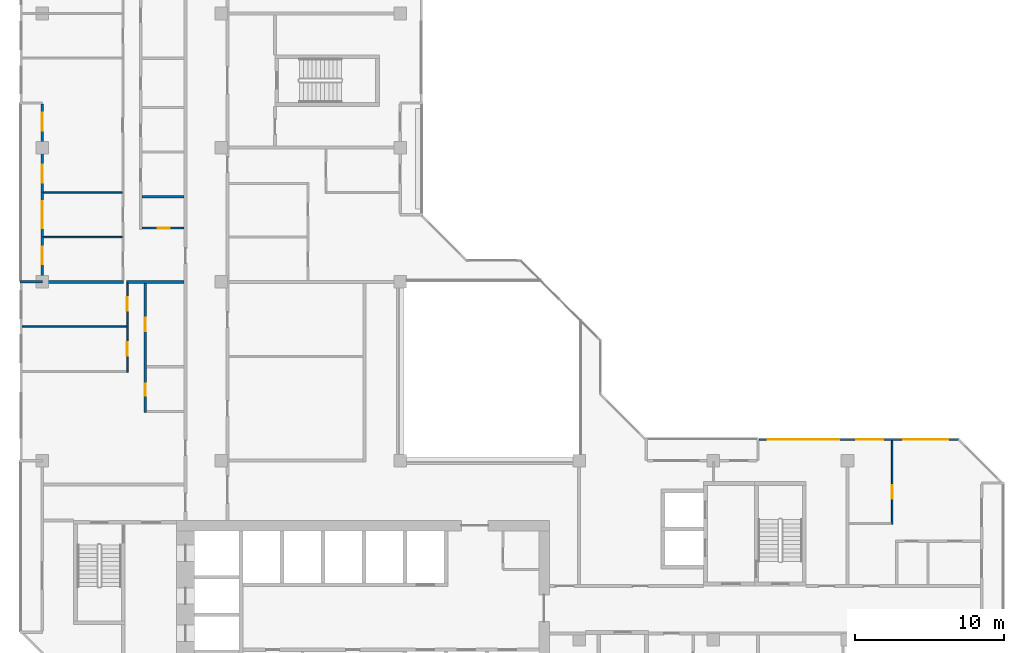
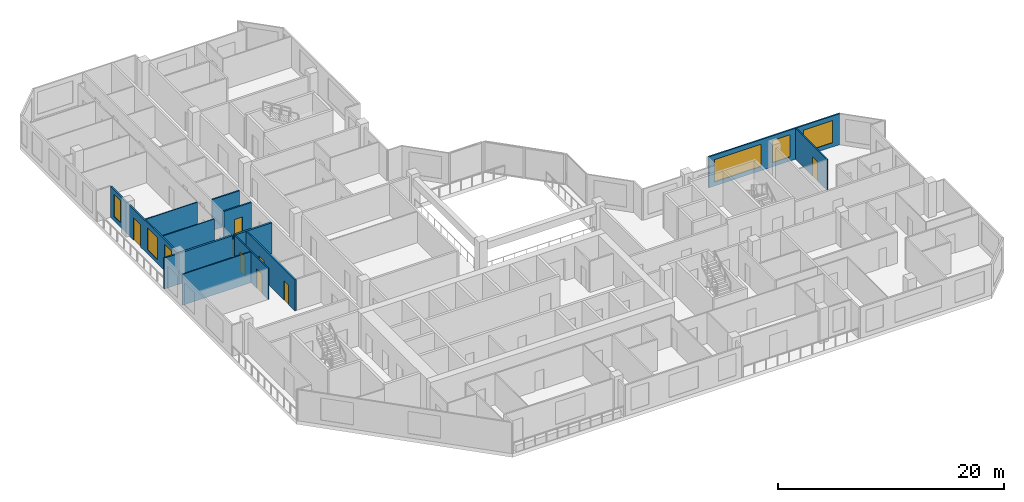
# One storey, part 8 of 15: 13 walls, 7 doors, 6 windows, 13 openings.
"""IFC4 building model written with IfcOpenShell, lengths in metres."""

from ifc_helpers import new_model, si_unit, direction, frame, frame_2d, origin, place, context, subcontext, project, spatial, rectangle, extrude, material, layer, layer_set, type_object, element, fill, save


model = new_model("IFC4")

# Units and contexts
model_context = context("Model", 3, precision=1e-05, world=origin(), true_north=direction((0.0, 1.0)))
body_context = subcontext(model_context, "Body", "Model", "MODEL_VIEW")
ifc_project = project(units=[si_unit("LENGTHUNIT", "METRE"), si_unit("AREAUNIT", "SQUARE_METRE"), si_unit("VOLUMEUNIT", "CUBIC_METRE"), si_unit("PLANEANGLEUNIT", "RADIAN"), si_unit("MASSUNIT", "GRAM", prefix="KILO")], contexts=[model_context])

# Site, building, storey
site_placement = place(None, origin())
site = spatial("IfcSite", under=ifc_project, at=site_placement, CompositionType="ELEMENT")
building_placement = place(site_placement, origin())
building = spatial("IfcBuilding", under=site, at=building_placement, Name="Chenar Terraces", CompositionType="ELEMENT")
storey_placement = place(building_placement, frame((0.0, 0.0, 215.39990234375)))
storey = spatial("IfcBuildingStorey", under=building, at=storey_placement, Name="L50", CompositionType="ELEMENT", Elevation=215.39990234375)

# Wall, openings, windows
ifc_material_1 = material(Name="Aluminium framed glazing", Category="aluminium")
ifc_layer_1 = layer(ifc_material_1, 0.14990234375)
ifc_layer_set_1 = layer_set([ifc_layer_1], Name="Aluminium framed glazing")
wall_type_1 = type_object("IfcWallType", Name="Glazed flush facade wall 150", PredefinedType="SOLIDWALL", material=ifc_layer_set_1)
wall_1_placement = place(storey_placement, frame((61.5, 25.425048828125, 0.0), z_axis=(0.0, 0.0, 1.0), x_axis=(-1.0, 0.0, 0.0)))
wall_1 = element("IfcWall", 1, at=wall_1_placement, inside=storey, type_object=wall_type_1, Name="Glazed flush facade wall", PredefinedType="SOLIDWALL", context=body_context, shape_type="SweptSolid", body=[
    extrude(rectangle(XDim=13.425048828125, YDim=0.14990234375, at=frame_2d((6.71240234375, 0.0))), origin(), (0.0, 0.0, 1.0), 3.35009765625),
])
opening_1_placement = place(wall_1_placement, frame((0.75, 0.0, 0.449951171875)))
opening_1 = element("IfcOpeningElement", 2, at=opening_1_placement, cuts=wall_1, Name="Opening W300x240", PredefinedType="OPENING", context=body_context, shape_type="SweptSolid", body=[
    extrude(rectangle(XDim=3.0, YDim=2.39990234375, at=frame_2d((1.5, 1.199951171875))), frame((0.0, 0.0849609375, 0.0), z_axis=(0.0, -1.0, 0.0), x_axis=(1.0, 0.0, 0.0)), (0.0, 0.0, 1.0), 0.169921875),
])
opening_2_placement = place(wall_1_placement, frame((5.10009765625, 0.0, 0.449951171875)))
opening_2 = element("IfcOpeningElement", 3, at=opening_2_placement, cuts=wall_1, Name="Opening W180x240", PredefinedType="OPENING", context=body_context, shape_type="SweptSolid", body=[
    extrude(rectangle(XDim=1.800048828125, YDim=2.39990234375, at=frame_2d((0.89990234375, 1.199951171875))), frame((0.0, 0.0849609375, 0.0), z_axis=(0.0, -1.0, 0.0), x_axis=(1.0, 0.0, 0.0)), (0.0, 0.0, 1.0), 0.169921875),
])
opening_3_placement = place(wall_1_placement, frame((8.0625, 0.0, 0.449951171875)))
opening_3 = element("IfcOpeningElement", 4, at=opening_3_placement, cuts=wall_1, Name="Opening W480x240", PredefinedType="OPENING", context=body_context, shape_type="SweptSolid", body=[
    extrude(rectangle(XDim=4.800048828125, YDim=2.39990234375, at=frame_2d((2.39990234375, 1.199951171875))), frame((0.0, 0.0849609375, 0.0), z_axis=(0.0, -1.0, 0.0), x_axis=(1.0, 0.0, 0.0)), (0.0, 0.0, 1.0), 0.169921875),
])
ifc_material_2 = material(Name="Low emissivity double glazing, aluminium frame", Category="aluminium")
window_type_1 = type_object("IfcWindowType", Name="Fixed light 1800 x 2400", PartitioningType="SINGLE_PANEL", PredefinedType="WINDOW", material=ifc_material_2)
window_1_placement = place(opening_2_placement, origin())
window_1 = element("IfcWindow", 5, at=window_1_placement, inside=storey, type_object=window_type_1, Name="Window", OverallHeight=2.39990234375, OverallWidth=1.800048828125, PartitioningType="SINGLE_PANEL", PredefinedType="WINDOW", context=body_context, shape_type="SweptSolid", body=[
    extrude(rectangle(XDim=1.800048828125, YDim=2.39990234375, at=frame_2d((0.89990234375, 1.199951171875))), frame((0.0, 0.030029296875, 0.0), z_axis=(0.0, -1.0, 0.0), x_axis=(1.0, 0.0, 0.0)), (0.0, 0.0, 1.0), 0.06005859375),
])
fill(opening_2, window_1)
ifc_material_3 = material(Name="Low emissivity double glazing, aluminium frame", Category="aluminium")
window_type_2 = type_object("IfcWindowType", Name="Fixed light 3000 x 2400", PartitioningType="SINGLE_PANEL", PredefinedType="WINDOW", material=ifc_material_3)
window_2_placement = place(opening_1_placement, origin())
window_2 = element("IfcWindow", 6, at=window_2_placement, inside=storey, type_object=window_type_2, Name="Window", OverallHeight=2.39990234375, OverallWidth=3.0, PartitioningType="SINGLE_PANEL", PredefinedType="WINDOW", context=body_context, shape_type="SweptSolid", body=[
    extrude(rectangle(XDim=3.0, YDim=2.39990234375, at=frame_2d((1.5, 1.199951171875))), frame((0.0, 0.030029296875, 0.0), z_axis=(0.0, -1.0, 0.0), x_axis=(1.0, 0.0, 0.0)), (0.0, 0.0, 1.0), 0.06005859375),
])
fill(opening_1, window_2)
ifc_material_4 = material(Name="Low emissivity double glazing, aluminium frame", Category="aluminium")
window_type_3 = type_object("IfcWindowType", Name="Fixed light 4800 x 2400", PartitioningType="SINGLE_PANEL", PredefinedType="WINDOW", material=ifc_material_4)
window_3_placement = place(opening_3_placement, origin())
window_3 = element("IfcWindow", 7, at=window_3_placement, inside=storey, type_object=window_type_3, Name="Window", OverallHeight=2.39990234375, OverallWidth=4.800048828125, PartitioningType="SINGLE_PANEL", PredefinedType="WINDOW", context=body_context, shape_type="SweptSolid", body=[
    extrude(rectangle(XDim=4.800048828125, YDim=2.39990234375, at=frame_2d((2.39990234375, 1.199951171875))), frame((0.0, 0.030029296875, 0.0), z_axis=(0.0, -1.0, 0.0), x_axis=(1.0, 0.0, 0.0)), (0.0, 0.0, 1.0), 0.06005859375),
])
fill(opening_3, window_3)

# Wall, openings, windows, door
ifc_material_5 = material(Name="Aluminium framed glazing", Category="aluminium")
ifc_layer_2 = layer(ifc_material_5, 0.14990234375)
ifc_layer_set_2 = layer_set([ifc_layer_2], Name="Aluminium framed glazing")
wall_type_2 = type_object("IfcWallType", Name="Glazed loggia back wall 150", PredefinedType="SOLIDWALL", material=ifc_layer_set_2)
wall_2_placement = place(storey_placement, frame((0.0, 47.925048828125, 0.0), z_axis=(0.0, 0.0, 1.0), x_axis=(0.0, -1.0, 0.0)))
wall_2 = element("IfcWall", 8, at=wall_2_placement, inside=storey, type_object=wall_type_2, Name="Glazed loggia back wall", PredefinedType="SOLIDWALL", context=body_context, shape_type="SweptSolid", body=[
    extrude(rectangle(XDim=11.85009765625, YDim=0.14990234375, at=frame_2d((5.925048828125, 0.0))), origin(), (0.0, 0.0, 1.0), 3.35009765625),
])
opening_4_placement = place(wall_2_placement, frame((0.60009765625, 0.0, 0.449951171875)))
opening_4 = element("IfcOpeningElement", 9, at=opening_4_placement, cuts=wall_2, Name="Opening W120x240", PredefinedType="OPENING", context=body_context, shape_type="SweptSolid", body=[
    extrude(rectangle(XDim=1.199951171875, YDim=2.39990234375, at=frame_2d((0.60009765625, 1.199951171875))), frame((0.0, 0.0849609375, 0.0), z_axis=(0.0, -1.0, 0.0), x_axis=(1.0, 0.0, 0.0)), (0.0, 0.0, 1.0), 0.169921875),
])
opening_5_placement = place(wall_2_placement, frame((4.08740234375, 0.0, 0.0)))
opening_5 = element("IfcOpeningElement", 10, at=opening_5_placement, cuts=wall_2, Name="Opening DL50-G3", PredefinedType="OPENING", context=body_context, shape_type="SweptSolid", body=[
    extrude(rectangle(XDim=1.199951171875, YDim=2.39990234375, at=frame_2d((0.60009765625, 1.199951171875))), frame((0.0, 0.0849609375, 0.0), z_axis=(0.0, -1.0, 0.0), x_axis=(1.0, 0.0, 0.0)), (0.0, 0.0, 1.0), 0.169921875),
])
opening_6_placement = place(wall_2_placement, frame((6.52490234375, 0.0, 0.449951171875)))
opening_6 = element("IfcOpeningElement", 11, at=opening_6_placement, cuts=wall_2, Name="Opening W180x240", PredefinedType="OPENING", context=body_context, shape_type="SweptSolid", body=[
    extrude(rectangle(XDim=1.800048828125, YDim=2.39990234375, at=frame_2d((0.89990234375, 1.199951171875))), frame((0.0, 0.0849609375, 0.0), z_axis=(0.0, -1.0, 0.0), x_axis=(1.0, 0.0, 0.0)), (0.0, 0.0, 1.0), 0.169921875),
])
opening_7_placement = place(wall_2_placement, frame((9.5625, 0.0, 0.449951171875)))
opening_7 = element("IfcOpeningElement", 12, at=opening_7_placement, cuts=wall_2, Name="Opening W120x240", PredefinedType="OPENING", context=body_context, shape_type="SweptSolid", body=[
    extrude(rectangle(XDim=1.199951171875, YDim=2.39990234375, at=frame_2d((0.60009765625, 1.199951171875))), frame((0.0, 0.0849609375, 0.0), z_axis=(0.0, -1.0, 0.0), x_axis=(1.0, 0.0, 0.0)), (0.0, 0.0, 1.0), 0.169921875),
])
ifc_material_6 = material(Name="Low emissivity double glazing, aluminium frame", Category="aluminium")
window_type_4 = type_object("IfcWindowType", Name="Fixed light 1200 x 2400", PartitioningType="SINGLE_PANEL", PredefinedType="WINDOW", material=ifc_material_6)
window_4_placement = place(opening_4_placement, origin())
window_4 = element("IfcWindow", 13, at=window_4_placement, inside=storey, type_object=window_type_4, Name="Window", OverallHeight=2.39990234375, OverallWidth=1.199951171875, PartitioningType="SINGLE_PANEL", PredefinedType="WINDOW", context=body_context, shape_type="SweptSolid", body=[
    extrude(rectangle(XDim=1.199951171875, YDim=2.39990234375, at=frame_2d((0.60009765625, 1.199951171875))), frame((0.0, 0.030029296875, 0.0), z_axis=(0.0, -1.0, 0.0), x_axis=(1.0, 0.0, 0.0)), (0.0, 0.0, 1.0), 0.06005859375),
])
fill(opening_4, window_4)
window_5_placement = place(opening_7_placement, origin())
window_5 = element("IfcWindow", 14, at=window_5_placement, inside=storey, type_object=window_type_4, Name="Window", OverallHeight=2.39990234375, OverallWidth=1.199951171875, PartitioningType="SINGLE_PANEL", PredefinedType="WINDOW", context=body_context, shape_type="SweptSolid", body=[
    extrude(rectangle(XDim=1.199951171875, YDim=2.39990234375, at=frame_2d((0.60009765625, 1.199951171875))), frame((0.0, 0.030029296875, 0.0), z_axis=(0.0, -1.0, 0.0), x_axis=(1.0, 0.0, 0.0)), (0.0, 0.0, 1.0), 0.06005859375),
])
fill(opening_7, window_5)
window_6_placement = place(opening_6_placement, origin())
window_6 = element("IfcWindow", 15, at=window_6_placement, inside=storey, type_object=window_type_1, Name="Window", OverallHeight=2.39990234375, OverallWidth=1.800048828125, PartitioningType="SINGLE_PANEL", PredefinedType="WINDOW", context=body_context, shape_type="SweptSolid", body=[
    extrude(rectangle(XDim=1.800048828125, YDim=2.39990234375, at=frame_2d((0.89990234375, 1.199951171875))), frame((0.0, 0.030029296875, 0.0), z_axis=(0.0, -1.0, 0.0), x_axis=(1.0, 0.0, 0.0)), (0.0, 0.0, 1.0), 0.06005859375),
])
fill(opening_6, window_6)
ifc_material_7 = material(Name="Low emissivity double glazing, aluminium frame", Category="aluminium")
door_type_1 = type_object("IfcDoorType", Name="Loggia glazed double door 1200 x 2400", OperationType="DOUBLE_DOOR_SINGLE_SWING", PredefinedType="DOOR", material=ifc_material_7)
door_1_placement = place(opening_5_placement, frame((1.199951171875, 0.0, 0.0), z_axis=(0.0, 0.0, 1.0), x_axis=(-1.0, 0.0, 0.0)))
door_1 = element("IfcDoor", 16, at=door_1_placement, inside=storey, type_object=door_type_1, Name="Loggia glazed door", OperationType="DOUBLE_DOOR_SINGLE_SWING", OverallHeight=2.39990234375, OverallWidth=1.199951171875, PredefinedType="DOOR", context=body_context, shape_type="SweptSolid", body=[
    extrude(rectangle(XDim=1.199951171875, YDim=2.39990234375, at=frame_2d((0.60009765625, 1.199951171875))), frame((0.0, 0.02490234375, 0.0), z_axis=(0.0, -1.0, 0.0), x_axis=(1.0, 0.0, 0.0)), (0.0, 0.0, 1.0), 0.050048828125),
])
fill(opening_5, door_1)

# Walls
ifc_material_8 = material(Name="Gypsum board on steel studs", Category="steel")
ifc_layer_3 = layer(ifc_material_8, 0.10009765625)
ifc_layer_set_3 = layer_set([ifc_layer_3], Name="Gypsum board on steel studs")
wall_type_3 = type_object("IfcWallType", Name="Gypsum partition 100", PredefinedType="PARTITIONING", material=ifc_layer_set_3)
wall_3_placement = place(storey_placement, frame((-1.35107421875, 33.0, 0.0), z_axis=(0.0, 0.0, 1.0), x_axis=(1.0, 0.0, 0.0)))
element("IfcWall", 17, at=wall_3_placement, inside=storey, type_object=wall_type_3, Name="Partition L50-001", PredefinedType="PARTITIONING", context=body_context, shape_type="SweptSolid", body=[
    extrude(rectangle(XDim=7.0009765625, YDim=0.10009765625, at=frame_2d((3.50048828125, 0.0))), origin(), (0.0, 0.0, 1.0), 3.35009765625),
])
for number, where, z_axis, x_axis, name in (
    (18, (0.073974609375, 39.0, 0.0), (0.0, 0.0, 1.0), (1.0, 0.0, 0.0), "Partition L50-010"),
    (19, (0.073974609375, 42.0, 0.0), (0.0, 0.0, 1.0), (1.0, 0.0, 0.0), "Partition L50-011"),
):
    element("IfcWall", number, at=place(storey_placement, frame(where, z_axis=z_axis, x_axis=x_axis)), inside=storey, type_object=wall_type_3, Name=name, PredefinedType="PARTITIONING", context=body_context, shape_type="SweptSolid", body=[
        extrude(rectangle(XDim=5.276123046875, YDim=0.10009765625, at=frame_2d((2.63818359375, 0.0))), origin(), (0.0, 0.0, 1.0), 3.35009765625),
    ])

# Wall, openings, doors
wall_4_placement = place(storey_placement, frame((5.699951171875, 29.949951171875, 0.0), z_axis=(0.0, 0.0, 1.0), x_axis=(0.0, 1.0, 0.0)))
wall_4 = element("IfcWall", 20, at=wall_4_placement, inside=storey, type_object=wall_type_3, Name="Partition L50-016", PredefinedType="PARTITIONING", context=body_context, shape_type="SweptSolid", body=[
    extrude(rectangle(XDim=5.949951171875, YDim=0.10009765625, at=frame_2d((2.97509765625, 0.0))), origin(), (0.0, 0.0, 1.0), 3.35009765625),
])
opening_8_placement = place(wall_4_placement, frame((1.10009765625, 0.0, 0.0)))
opening_8 = element("IfcOpeningElement", 21, at=opening_8_placement, cuts=wall_4, Name="Opening DL50-58", PredefinedType="OPENING", context=body_context, shape_type="SweptSolid", body=[
    extrude(rectangle(XDim=0.89990234375, YDim=2.10009765625, at=frame_2d((0.449951171875, 1.050048828125))), frame((0.0, 0.06005859375, 0.0), z_axis=(0.0, -1.0, 0.0), x_axis=(1.0, 0.0, 0.0)), (0.0, 0.0, 1.0), 0.1201171875),
])
opening_9_placement = place(wall_4_placement, frame((4.10009765625, 0.0, 0.0)))
opening_9 = element("IfcOpeningElement", 22, at=opening_9_placement, cuts=wall_4, Name="Opening DL50-59", PredefinedType="OPENING", context=body_context, shape_type="SweptSolid", body=[
    extrude(rectangle(XDim=0.89990234375, YDim=2.10009765625, at=frame_2d((0.449951171875, 1.050048828125))), frame((0.0, 0.06005859375, 0.0), z_axis=(0.0, -1.0, 0.0), x_axis=(1.0, 0.0, 0.0)), (0.0, 0.0, 1.0), 0.1201171875),
])
ifc_material_9 = material(Name="Veneered timber door leaf", Category="wood")
door_type_2 = type_object("IfcDoorType", Name="Door 900 x 2100", OperationType="SINGLE_SWING_LEFT", PredefinedType="DOOR", material=ifc_material_9)
door_2_placement = place(opening_8_placement, origin())
door_2 = element("IfcDoor", 23, at=door_2_placement, inside=storey, type_object=door_type_2, Name="Door DL50-58", OperationType="SINGLE_SWING_LEFT", OverallHeight=2.10009765625, OverallWidth=0.89990234375, PredefinedType="DOOR", context=body_context, shape_type="SweptSolid", body=[
    extrude(rectangle(XDim=0.89990234375, YDim=2.10009765625, at=frame_2d((0.449951171875, 1.050048828125))), frame((0.0, 0.02490234375, 0.0), z_axis=(0.0, -1.0, 0.0), x_axis=(1.0, 0.0, 0.0)), (0.0, 0.0, 1.0), 0.050048828125),
])
fill(opening_8, door_2)
door_3_placement = place(opening_9_placement, origin())
door_3 = element("IfcDoor", 24, at=door_3_placement, inside=storey, type_object=door_type_2, Name="Door DL50-59", OperationType="SINGLE_SWING_LEFT", OverallHeight=2.10009765625, OverallWidth=0.89990234375, PredefinedType="DOOR", context=body_context, shape_type="SweptSolid", body=[
    extrude(rectangle(XDim=0.89990234375, YDim=2.10009765625, at=frame_2d((0.449951171875, 1.050048828125))), frame((0.0, 0.02490234375, 0.0), z_axis=(0.0, -1.0, 0.0), x_axis=(1.0, 0.0, 0.0)), (0.0, 0.0, 1.0), 0.050048828125),
])
fill(opening_9, door_3)

# Wall, opening, door
wall_5_placement = place(storey_placement, frame((57.0, 19.75, 0.0), z_axis=(0.0, 0.0, 1.0), x_axis=(0.0, 1.0, 0.0)))
wall_5 = element("IfcWall", 25, at=wall_5_placement, inside=storey, type_object=wall_type_3, Name="Partition L50-081", PredefinedType="PARTITIONING", context=body_context, shape_type="SweptSolid", body=[
    extrude(rectangle(XDim=5.60009765625, YDim=0.10009765625, at=frame_2d((2.800048828125, 0.0))), origin(), (0.0, 0.0, 1.0), 3.35009765625),
])
opening_10_placement = place(wall_5_placement, frame((1.699951171875, 0.0, 0.0)))
opening_10 = element("IfcOpeningElement", 26, at=opening_10_placement, cuts=wall_5, Name="Opening DL50-5", PredefinedType="OPENING", context=body_context, shape_type="SweptSolid", body=[
    extrude(rectangle(XDim=0.89990234375, YDim=2.10009765625, at=frame_2d((0.449951171875, 1.050048828125))), frame((0.0, 0.06005859375, 0.0), z_axis=(0.0, -1.0, 0.0), x_axis=(1.0, 0.0, 0.0)), (0.0, 0.0, 1.0), 0.1201171875),
])
door_4_placement = place(opening_10_placement, origin())
door_4 = element("IfcDoor", 27, at=door_4_placement, inside=storey, type_object=door_type_2, Name="Door DL50-5", OperationType="SINGLE_SWING_LEFT", OverallHeight=2.10009765625, OverallWidth=0.89990234375, PredefinedType="DOOR", context=body_context, shape_type="SweptSolid", body=[
    extrude(rectangle(XDim=0.89990234375, YDim=2.10009765625, at=frame_2d((0.449951171875, 1.050048828125))), frame((0.0, 0.02490234375, 0.0), z_axis=(0.0, -1.0, 0.0), x_axis=(1.0, 0.0, 0.0)), (0.0, 0.0, 1.0), 0.050048828125),
])
fill(opening_10, door_4)

# Walls
ifc_material_10 = material(Name="Terracotta cladding on insulated backing", Category="masonry")
ifc_layer_4 = layer(ifc_material_10, 0.14990234375)
ifc_layer_set_4 = layer_set([ifc_layer_4], Name="Terracotta cladding on insulated backing")
wall_type_4 = type_object("IfcWallType", Name="Loggia return wall 150", PredefinedType="SOLIDWALL", material=ifc_layer_set_4)
wall_6_placement = place(storey_placement, frame((-1.5, 36.0, 0.0), z_axis=(0.0, 0.0, 1.0), x_axis=(1.0, 0.0, 0.0)))
element("IfcWall", 28, at=wall_6_placement, inside=storey, type_object=wall_type_4, Name="Loggia return wall", PredefinedType="SOLIDWALL", context=body_context, shape_type="SweptSolid", body=[
    extrude(rectangle(XDim=1.5, YDim=0.14990234375, at=frame_2d((0.75, 0.0))), origin(), (0.0, 0.0, 1.0), 3.35009765625),
])
ifc_material_11 = material(Name="Twin gypsum board on steel studs with mineral wool", Category="steel")
ifc_layer_5 = layer(ifc_material_11, 0.199951171875)
ifc_layer_set_5 = layer_set([ifc_layer_5], Name="Twin gypsum board on steel studs with mineral wool")
wall_type_5 = type_object("IfcWallType", Name="Unit demising wall 200", PredefinedType="PARTITIONING", material=ifc_layer_set_5)
wall_7_placement = place(storey_placement, frame((0.0, 36.0, 0.0), z_axis=(0.0, 0.0, 1.0), x_axis=(1.0, 0.0, 0.0)))
element("IfcWall", 29, at=wall_7_placement, inside=storey, type_object=wall_type_5, Name="Partition L50-006", PredefinedType="PARTITIONING", context=body_context, shape_type="SweptSolid", body=[
    extrude(rectangle(XDim=5.449951171875, YDim=0.199951171875, at=frame_2d((2.72509765625, 0.0))), origin(), (0.0, 0.0, 1.0), 3.35009765625),
])
wall_8_placement = place(storey_placement, frame((5.64990234375, 36.0, 0.0), z_axis=(0.0, 0.0, 1.0), x_axis=(1.0, 0.0, 0.0)))
element("IfcWall", 30, at=wall_8_placement, inside=storey, type_object=wall_type_5, Name="Partition L50-015", PredefinedType="PARTITIONING", context=body_context, shape_type="SweptSolid", body=[
    extrude(rectangle(XDim=3.85009765625, YDim=0.199951171875, at=frame_2d((1.925048828125, 0.0))), origin(), (0.0, 0.0, 1.0), 3.35009765625),
])

# Wall, opening, door
ifc_material_12 = material(Name="Moisture-resistant gypsum board on steel studs", Category="steel")
ifc_layer_6 = layer(ifc_material_12, 0.14990234375)
ifc_layer_set_6 = layer_set([ifc_layer_6], Name="Moisture-resistant gypsum board on steel studs")
wall_type_6 = type_object("IfcWallType", Name="Wet-room partition 150", PredefinedType="PARTITIONING", material=ifc_layer_set_6)
wall_9_placement = place(storey_placement, frame((6.675048828125, 39.60009765625, 0.0), z_axis=(0.0, 0.0, 1.0), x_axis=(1.0, 0.0, 0.0)))
wall_9 = element("IfcWall", 31, at=wall_9_placement, inside=storey, type_object=wall_type_6, Name="Partition L50-018", PredefinedType="PARTITIONING", context=body_context, shape_type="SweptSolid", body=[
    extrude(rectangle(XDim=2.824951171875, YDim=0.14990234375, at=frame_2d((1.41259765625, 0.0))), origin(), (0.0, 0.0, 1.0), 3.35009765625),
])
opening_11_placement = place(wall_9_placement, frame((1.074951171875, 0.0, 0.0)))
opening_11 = element("IfcOpeningElement", 32, at=opening_11_placement, cuts=wall_9, Name="Opening DL50-36", PredefinedType="OPENING", context=body_context, shape_type="SweptSolid", body=[
    extrude(rectangle(XDim=0.800048828125, YDim=2.10009765625, at=frame_2d((0.39990234375, 1.050048828125))), frame((0.0, 0.0849609375, 0.0), z_axis=(0.0, -1.0, 0.0), x_axis=(1.0, 0.0, 0.0)), (0.0, 0.0, 1.0), 0.169921875),
])
ifc_material_13 = material(Name="Veneered timber door leaf", Category="wood")
door_type_3 = type_object("IfcDoorType", Name="Door 800 x 2100", OperationType="SINGLE_SWING_LEFT", PredefinedType="DOOR", material=ifc_material_13)
door_5_placement = place(opening_11_placement, origin())
door_5 = element("IfcDoor", 33, at=door_5_placement, inside=storey, type_object=door_type_3, Name="Door DL50-36", OperationType="SINGLE_SWING_RIGHT", OverallHeight=2.10009765625, OverallWidth=0.800048828125, PredefinedType="DOOR", context=body_context, shape_type="SweptSolid", body=[
    extrude(rectangle(XDim=0.800048828125, YDim=2.10009765625, at=frame_2d((0.39990234375, 1.050048828125))), frame((0.0, 0.02490234375, 0.0), z_axis=(0.0, -1.0, 0.0), x_axis=(1.0, 0.0, 0.0)), (0.0, 0.0, 1.0), 0.050048828125),
])
fill(opening_11, door_5)

# Wall
wall_10_placement = place(storey_placement, frame((6.675048828125, 41.699951171875, 0.0), z_axis=(0.0, 0.0, 1.0), x_axis=(1.0, 0.0, 0.0)))
element("IfcWall", 34, at=wall_10_placement, inside=storey, type_object=wall_type_6, Name="Partition L50-019", PredefinedType="PARTITIONING", context=body_context, shape_type="SweptSolid", body=[
    extrude(rectangle(XDim=2.824951171875, YDim=0.14990234375, at=frame_2d((1.41259765625, 0.0))), origin(), (0.0, 0.0, 1.0), 3.35009765625),
])

# Wall, openings, doors
wall_11_placement = place(storey_placement, frame((6.89990234375, 27.22509765625, 0.0), z_axis=(0.0, 0.0, 1.0), x_axis=(0.0, 1.0, 0.0)))
wall_11 = element("IfcWall", 35, at=wall_11_placement, inside=storey, type_object=wall_type_6, Name="Partition L50-025", PredefinedType="PARTITIONING", context=body_context, shape_type="SweptSolid", body=[
    extrude(rectangle(XDim=8.6748046875, YDim=0.14990234375, at=frame_2d((4.33740234375, 0.0))), origin(), (0.0, 0.0, 1.0), 3.35009765625),
])
opening_12_placement = place(wall_11_placement, frame((1.125, 0.0, 0.0)))
opening_12 = element("IfcOpeningElement", 36, at=opening_12_placement, cuts=wall_11, Name="Opening DL50-57", PredefinedType="OPENING", context=body_context, shape_type="SweptSolid", body=[
    extrude(rectangle(XDim=0.800048828125, YDim=2.10009765625, at=frame_2d((0.39990234375, 1.050048828125))), frame((0.0, 0.0849609375, 0.0), z_axis=(0.0, -1.0, 0.0), x_axis=(1.0, 0.0, 0.0)), (0.0, 0.0, 1.0), 0.169921875),
])
opening_13_placement = place(wall_11_placement, frame((5.47509765625, 0.0, 0.0)))
opening_13 = element("IfcOpeningElement", 37, at=opening_13_placement, cuts=wall_11, Name="Opening DL50-60", PredefinedType="OPENING", context=body_context, shape_type="SweptSolid", body=[
    extrude(rectangle(XDim=0.89990234375, YDim=2.10009765625, at=frame_2d((0.449951171875, 1.050048828125))), frame((0.0, 0.0849609375, 0.0), z_axis=(0.0, -1.0, 0.0), x_axis=(1.0, 0.0, 0.0)), (0.0, 0.0, 1.0), 0.169921875),
])
door_6_placement = place(opening_12_placement, frame((0.800048828125, 0.0, 0.0), z_axis=(0.0, 0.0, 1.0), x_axis=(-1.0, 0.0, 0.0)))
door_6 = element("IfcDoor", 38, at=door_6_placement, inside=storey, type_object=door_type_3, Name="Door DL50-57", OperationType="SINGLE_SWING_RIGHT", OverallHeight=2.10009765625, OverallWidth=0.800048828125, PredefinedType="DOOR", context=body_context, shape_type="SweptSolid", body=[
    extrude(rectangle(XDim=0.800048828125, YDim=2.10009765625, at=frame_2d((0.39990234375, 1.050048828125))), frame((0.0, 0.02490234375, 0.0), z_axis=(0.0, -1.0, 0.0), x_axis=(1.0, 0.0, 0.0)), (0.0, 0.0, 1.0), 0.050048828125),
])
fill(opening_12, door_6)
door_7_placement = place(opening_13_placement, frame((0.89990234375, 0.0, 0.0), z_axis=(0.0, 0.0, 1.0), x_axis=(-1.0, 0.0, 0.0)))
door_7 = element("IfcDoor", 39, at=door_7_placement, inside=storey, type_object=door_type_2, Name="Door DL50-60", OperationType="SINGLE_SWING_RIGHT", OverallHeight=2.10009765625, OverallWidth=0.89990234375, PredefinedType="DOOR", context=body_context, shape_type="SweptSolid", body=[
    extrude(rectangle(XDim=0.89990234375, YDim=2.10009765625, at=frame_2d((0.449951171875, 1.050048828125))), frame((0.0, 0.02490234375, 0.0), z_axis=(0.0, -1.0, 0.0), x_axis=(1.0, 0.0, 0.0)), (0.0, 0.0, 1.0), 0.050048828125),
])
fill(opening_13, door_7)

save(model, "model.ifc")
